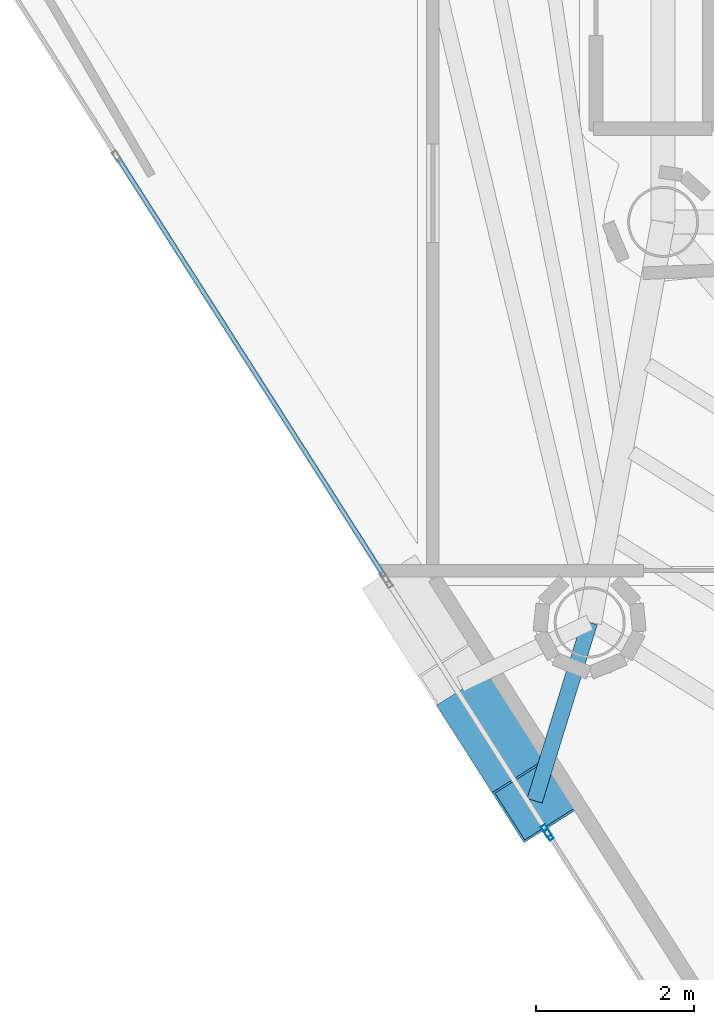
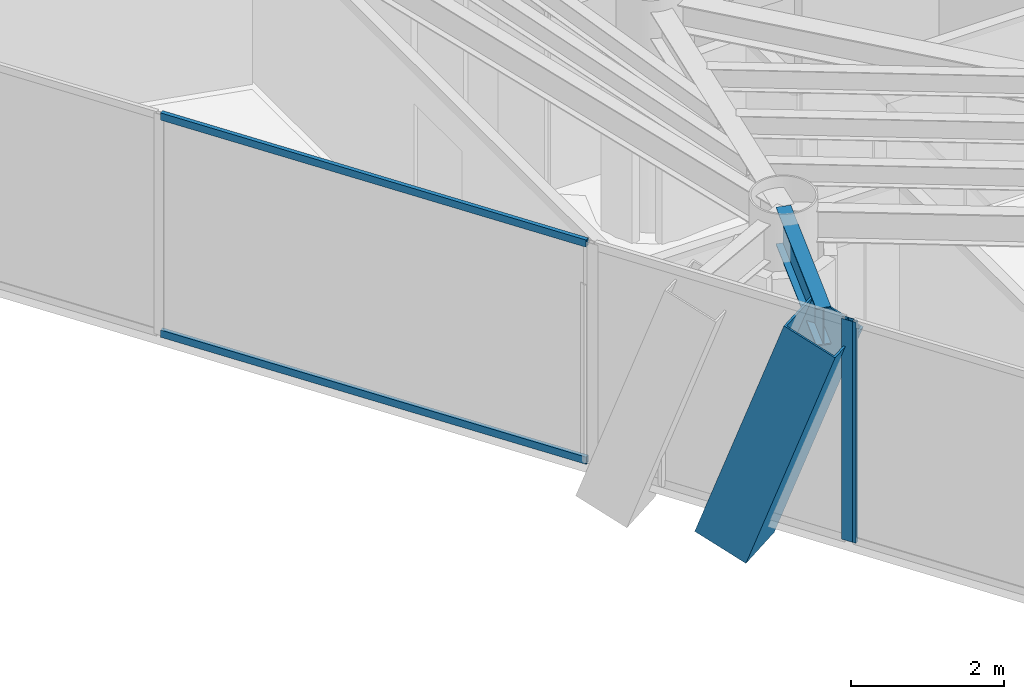
# One storey, part 3 of 25: 5 members, 1 beam, 3 elements without a shape of their own.
"""IFC4 building model written with IfcOpenShell, lengths in metres."""

from ifc_helpers import new_model, si_unit, direction, frame, origin, origin_2d, place, context, subcontext, project, spatial, hollow_rectangle, i_section, extrude, material, layer, layer_set, material_profile, profile_set, type_object, element, aggregate, save


model = new_model("IFC4")

# Units and contexts
model_context = context("Model", 3, precision=1e-05, world=origin(), true_north=direction((0.0, 1.0)))
body_context = subcontext(model_context, "Body", "Model", "MODEL_VIEW")
ifc_project = project(units=[si_unit("LENGTHUNIT", "METRE"), si_unit("AREAUNIT", "SQUARE_METRE"), si_unit("VOLUMEUNIT", "CUBIC_METRE"), si_unit("PLANEANGLEUNIT", "RADIAN"), si_unit("MASSUNIT", "GRAM", prefix="KILO")], contexts=[model_context])

# Site, building, storey
site_placement = place(None, origin())
site = spatial("IfcSite", under=ifc_project, at=site_placement, CompositionType="ELEMENT")
building_placement = place(site_placement, origin())
building = spatial("IfcBuilding", under=site, at=building_placement, Name="Qianvela Tower", CompositionType="ELEMENT")
storey_placement = place(building_placement, frame((0.0, 0.0, 291.699951171875)))
storey = spatial("IfcBuildingStorey", under=building, at=storey_placement, Name="L75", CompositionType="ELEMENT", Elevation=291.699951171875)

# Beam
ifc_material_1 = material(Name="Steel Q355B", Category="steel")
ifc_material_profile_1 = material_profile(ifc_material_1, i_section(OverallWidth=0.199951171875, OverallDepth=0.60009765625, WebThickness=0.010986328125, FlangeThickness=0.01708984375, at=origin_2d()), Name="HN600x200x11x17")
ifc_profile_set_1 = profile_set([ifc_material_profile_1], Name="Steel Q355B")
beam_type = type_object("IfcBeamType", Name="BM-HN600-GIRD", PredefinedType="BEAM", material=ifc_profile_set_1)
beam_placement = place(storey_placement, frame((27.669921875, 18.77392578125, 3.218017578125), z_axis=(-0.294948410555, -0.955513178931, 0.0), x_axis=(0.955513178931, -0.294948410555, 0.0)))
element("IfcBeam", 1, at=beam_placement, inside=storey, type_object=beam_type, Name="L75 Mega-Brace Column Tie Bracket F2-2", PredefinedType="BEAM", context=body_context, shape_type="SweptSolid", body=[
    extrude(i_section(OverallWidth=0.199951171875, OverallDepth=0.60009765625, WebThickness=0.010986328125, FlangeThickness=0.01708984375, at=origin_2d()), origin(), (0.0, 0.0, 1.0), 2.366455078125),
])

# Curtain wall, member
ifc_material_2 = material(Name="Anodised Architectural Aluminium and Insulated Spandrel Panel", Category="aluminium")
ifc_layer_1 = layer(ifc_material_2, 0.179931640625)
ifc_layer_set_1 = layer_set([ifc_layer_1], Name="Anodised Architectural Aluminium and Insulated Spandrel Panel")
curtain_wall_type_1 = type_object("IfcCurtainWallType", Name="CW-BRACEBAY", PredefinedType="USERDEFINED", material=ifc_layer_set_1)
curtain_wall_1_placement = place(storey_placement, origin())
curtain_wall_1 = element("IfcCurtainWall", 2, at=curtain_wall_1_placement, inside=storey, type_object=curtain_wall_type_1, Name="L75 CW-BRACEBAY Curtain Wall 04B", ObjectType="CURTAIN_WALL_SYSTEM", PredefinedType="USERDEFINED")
ifc_material_3 = material(Name="Anodised Architectural Aluminium 6063-T6", Category="aluminium")
ifc_material_profile_2 = material_profile(ifc_material_3, hollow_rectangle(XDim=0.06494140625, YDim=0.159912109375, WallThickness=0.0048828125, at=origin_2d()), Name="ALU-MULL-65x160")
ifc_profile_set_2 = profile_set([ifc_material_profile_2], Name="Anodised Architectural Aluminium 6063-T6")
member_type_1 = type_object("IfcMemberType", Name="CW-BRACEBAY-MULL", PredefinedType="MULLION", material=ifc_profile_set_2)
member_1_placement = place(storey_placement, frame((27.119140625, 16.1328125, 0.0), z_axis=(0.0, 0.0, 1.0), x_axis=(0.843575016453, 0.537011351478, 0.0)))
member_1 = element("IfcMember", 3, at=member_1_placement, type_object=member_type_1, Name="CW-9 mullion 2", PredefinedType="MULLION", context=body_context, shape_type="SweptSolid", body=[
    extrude(hollow_rectangle(XDim=0.06494140625, YDim=0.159912109375, WallThickness=0.0048828125, at=origin_2d()), origin(), (0.0, 0.0, 1.0), 3.52001953125),
])
aggregate(curtain_wall_1, [member_1])

ifc_material_4 = material(Name="Anodised Architectural Aluminium and Low-E Glass", Category="aluminium")
ifc_layer_2 = layer(ifc_material_4, 0.14990234375)
ifc_layer_set_2 = layer_set([ifc_layer_2], Name="Anodised Architectural Aluminium and Low-E Glass")
curtain_wall_type_2 = type_object("IfcCurtainWallType", Name="CW-COLIV-Z78", PredefinedType="USERDEFINED", material=ifc_layer_set_2)
curtain_wall_2_placement = place(storey_placement, origin())
curtain_wall_2 = element("IfcCurtainWall", 4, at=curtain_wall_2_placement, inside=storey, type_object=curtain_wall_type_2, Name="L75 CW-COLIV-Z78 Curtain Wall 04C", ObjectType="CURTAIN_WALL_SYSTEM", PredefinedType="USERDEFINED")
ifc_material_5 = material(Name="Anodised Architectural Aluminium 6063-T6", Category="aluminium")
ifc_material_profile_3 = material_profile(ifc_material_5, hollow_rectangle(XDim=0.06005859375, YDim=0.139892578125, WallThickness=0.00439453125, at=origin_2d()), Name="ALU-MULL-60x140")
ifc_profile_set_3 = profile_set([ifc_material_profile_3], Name="Anodised Architectural Aluminium 6063-T6")
member_type_2 = type_object("IfcMemberType", Name="CW-COLIV-Z78-MULL", PredefinedType="MULLION", material=ifc_profile_set_3)
member_2_placement = place(storey_placement, frame((27.152587890625, 16.080078125, 0.0), z_axis=(0.0, 0.0, 1.0), x_axis=(0.843579549826, 0.537004230072, 0.0)))
member_2 = element("IfcMember", 5, at=member_2_placement, type_object=member_type_2, Name="CW-6 mullion 1", PredefinedType="MULLION", context=body_context, shape_type="SweptSolid", body=[
    extrude(hollow_rectangle(XDim=0.06005859375, YDim=0.139892578125, WallThickness=0.00439453125, at=origin_2d()), origin(), (0.0, 0.0, 1.0), 3.52001953125),
])
aggregate(curtain_wall_2, [member_2])

# Curtain wall, members
curtain_wall_3_placement = place(storey_placement, origin())
curtain_wall_3 = element("IfcCurtainWall", 6, at=curtain_wall_3_placement, inside=storey, type_object=curtain_wall_type_2, Name="L75 CW-COLIV-Z78 Curtain Wall 04A", ObjectType="CURTAIN_WALL_SYSTEM", PredefinedType="USERDEFINED")
ifc_material_6 = material(Name="Anodised Architectural Aluminium 6063-T6", Category="aluminium")
ifc_material_profile_4 = material_profile(ifc_material_6, hollow_rectangle(XDim=0.06005859375, YDim=0.114990234375, WallThickness=0.00390625, at=origin_2d()), Name="ALU-TRAN-60x115")
ifc_profile_set_4 = profile_set([ifc_material_profile_4], Name="Anodised Architectural Aluminium 6063-T6")
member_type_3 = type_object("IfcMemberType", Name="CW-COLIV-Z78-TRAN", PredefinedType="USERDEFINED", material=ifc_profile_set_4)
member_3_placement = place(storey_placement, frame((21.69384765625, 24.655029296875, 0.030029296875), z_axis=(0.537014164183, -0.843573225907, 0.0), x_axis=(0.843573225907, 0.537014164183, 0.0)))
member_3 = element("IfcMember", 7, at=member_3_placement, type_object=member_type_3, Name="CW-6 transom 2.1", ObjectType="TRANSOM", PredefinedType="USERDEFINED", context=body_context, shape_type="SweptSolid", body=[
    extrude(hollow_rectangle(XDim=0.06005859375, YDim=0.114990234375, WallThickness=0.00390625, at=origin_2d()), origin(), (0.0, 0.0, 1.0), 6.26513671875),
])
member_4_placement = place(storey_placement, frame((21.69384765625, 24.655029296875, 3.489990234375), z_axis=(0.537014164183, -0.843573225907, 0.0), x_axis=(0.843573225907, 0.537014164183, 0.0)))
member_4 = element("IfcMember", 8, at=member_4_placement, type_object=member_type_3, Name="CW-6 transom 2.2", ObjectType="TRANSOM", PredefinedType="USERDEFINED", context=body_context, shape_type="SweptSolid", body=[
    extrude(hollow_rectangle(XDim=0.06005859375, YDim=0.114990234375, WallThickness=0.00390625, at=origin_2d()), origin(), (0.0, 0.0, 1.0), 6.26513671875),
])
aggregate(curtain_wall_3, [member_3, member_4])

# Member
ifc_material_7 = material(Name="Steel Q420GJC", Category="steel")
ifc_material_profile_5 = material_profile(ifc_material_7, hollow_rectangle(XDim=0.800048828125, YDim=0.800048828125, WallThickness=0.028076171875, at=origin_2d()), Name="MBOX-800x800x28")
ifc_profile_set_5 = profile_set([ifc_material_profile_5], Name="Steel Q420GJC")
member_type_4 = type_object("IfcMemberType", Name="MBR-MBRACE-800", PredefinedType="BRACE", material=ifc_profile_set_5)
member_5_placement = place(storey_placement, frame((26.26708984375, 17.6201171875, -0.48193359375), z_axis=(0.17953365964, -0.282079903058, 0.942442885987), x_axis=(0.843623194773, 0.536935662105, 0.0)))
element("IfcMember", 9, at=member_5_placement, inside=storey, type_object=member_type_4, Name="L75 Tier 12 Exterior Mega-Brace F2B", PredefinedType="BRACE", context=body_context, shape_type="SweptSolid", body=[
    extrude(hollow_rectangle(XDim=0.800048828125, YDim=0.800048828125, WallThickness=0.028076171875, at=origin_2d()), origin(), (0.0, 0.0, 1.0), 3.926025390625),
])

save(model, "model.ifc")
